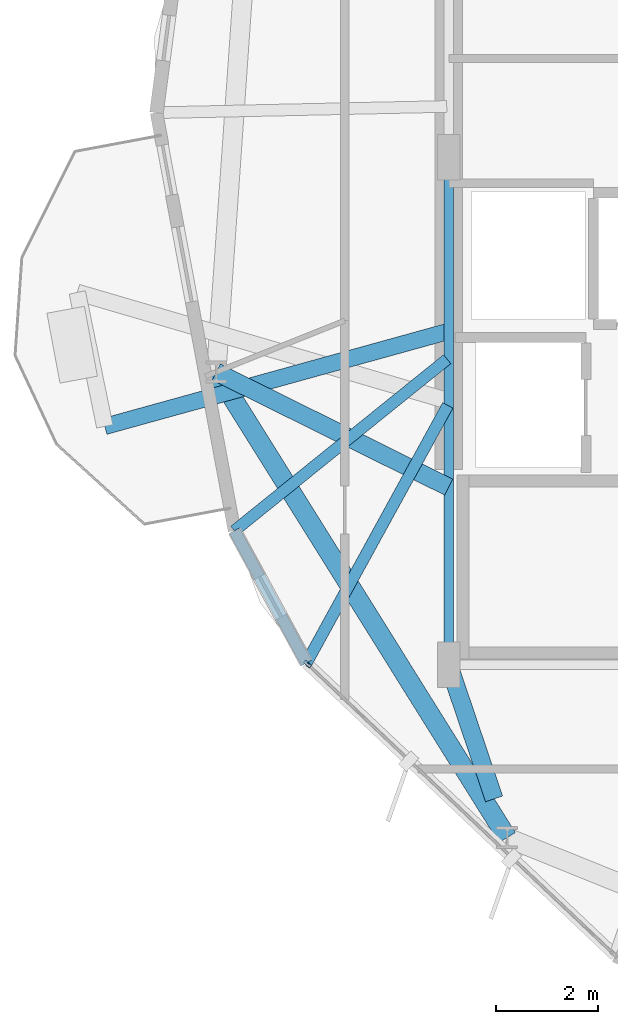
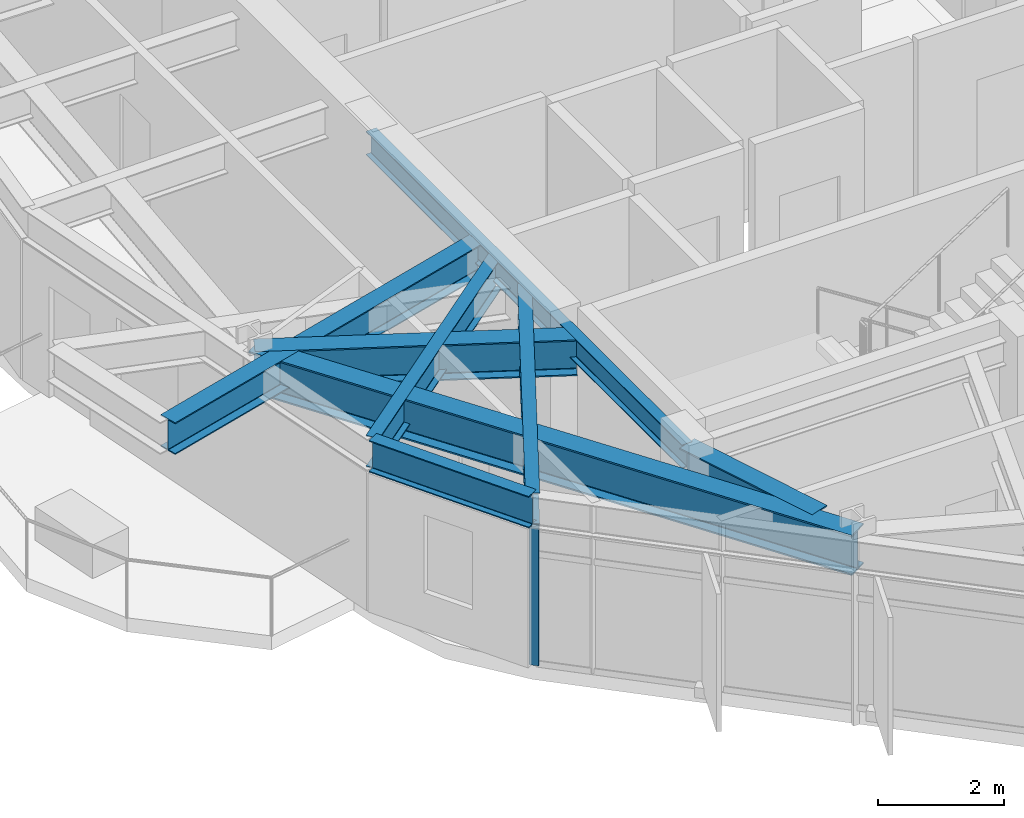
# One storey, part 3 of 23: 8 beams, 1 member, 1 element without a shape of its own.
"""IFC4 building model written with IfcOpenShell, lengths in metres."""

from ifc_helpers import new_model, si_unit, direction, frame, origin, origin_2d, place, context, subcontext, project, spatial, hollow_rectangle, i_section, extrude, material, layer, layer_set, material_profile, profile_set, type_object, element, aggregate, save


model = new_model("IFC4")

# Units and contexts
model_context = context("Model", 3, precision=1e-05, world=origin(), true_north=direction((0.0, 1.0)))
body_context = subcontext(model_context, "Body", "Model", "MODEL_VIEW")
ifc_project = project(units=[si_unit("LENGTHUNIT", "METRE"), si_unit("AREAUNIT", "SQUARE_METRE"), si_unit("VOLUMEUNIT", "CUBIC_METRE"), si_unit("PLANEANGLEUNIT", "RADIAN"), si_unit("MASSUNIT", "GRAM", prefix="KILO")], contexts=[model_context])

# Site, building, storey
site_placement = place(None, origin())
site = spatial("IfcSite", under=ifc_project, at=site_placement, CompositionType="ELEMENT")
building_placement = place(site_placement, origin())
building = spatial("IfcBuilding", under=site, at=building_placement, Name="Soratama Intermodal Tower", CompositionType="ELEMENT")
storey_placement = place(building_placement, frame((0.0, 0.0, 139.0)))
storey = spatial("IfcBuildingStorey", under=building, at=storey_placement, Name="L33", CompositionType="ELEMENT", Elevation=139.0)

# Beams
ifc_material_1 = material(Name="Structural steel ASTM A992 Grade 50", Category="steel")
ifc_material_profile_1 = material_profile(ifc_material_1, i_section(OverallWidth=0.324951171875, OverallDepth=0.615966796875, WebThickness=0.013916015625, FlangeThickness=0.021484375, FilletRadius=0.013916015625, at=origin_2d()), Name="W24X117")
ifc_profile_set_1 = profile_set([ifc_material_profile_1], Name="Structural steel ASTM A992 Grade 50")
beam_type_1 = type_object("IfcBeamType", Name="BM-CANT-W24X117", PredefinedType="BEAM", material=ifc_profile_set_1)
beam_1_placement = place(storey_placement, frame((32.56103515625, 21.55908203125, 2.991943359375), z_axis=(-0.963826012167, -0.266532208692, 0.0), x_axis=(0.266532208692, -0.963826012167, 0.0)))
element("IfcBeam", 1, at=beam_1_placement, inside=storey, type_object=beam_type_1, Name="BM-L33-CANT-3-2", PredefinedType="BEAM", context=body_context, shape_type="SweptSolid", body=[
    extrude(i_section(OverallWidth=0.324951171875, OverallDepth=0.615966796875, WebThickness=0.013916015625, FlangeThickness=0.021484375, FilletRadius=0.013916015625, at=origin_2d()), origin(), (0.0, 0.0, 1.0), 6.989990234375),
])
ifc_material_2 = material(Name="Structural steel ASTM A992 Grade 50", Category="steel")
ifc_material_profile_2 = material_profile(ifc_material_2, i_section(OverallWidth=0.19091796875, OverallDepth=0.4599609375, WebThickness=0.010009765625, FlangeThickness=0.01611328125, FilletRadius=0.010986328125, at=origin_2d()), Name="W18X55")
ifc_profile_set_2 = profile_set([ifc_material_profile_2], Name="Structural steel ASTM A992 Grade 50")
beam_type_2 = type_object("IfcBeamType", Name="BM-FLR-W18X55", PredefinedType="BEAM", material=ifc_profile_set_2)
beam_2_placement = place(storey_placement, frame((32.60009765625, 25.0, 3.070068359375), z_axis=(0.0, -1.0, 0.0), x_axis=(1.0, 0.0, 0.0)))
element("IfcBeam", 2, at=beam_2_placement, inside=storey, type_object=beam_type_2, Name="BM-L33-CRING-09", PredefinedType="BEAM", context=body_context, shape_type="SweptSolid", body=[
    extrude(i_section(OverallWidth=0.19091796875, OverallDepth=0.4599609375, WebThickness=0.010009765625, FlangeThickness=0.01611328125, FilletRadius=0.010986328125, at=origin_2d()), origin(), (0.0, 0.0, 1.0), 10.0),
])
ifc_material_3 = material(Name="Structural steel ASTM A992 Grade 50", Category="steel")
ifc_material_profile_3 = material_profile(ifc_material_3, i_section(OverallWidth=0.35498046875, OverallDepth=0.695068359375, WebThickness=0.015380859375, FlangeThickness=0.02490234375, FilletRadius=0.01611328125, at=origin_2d()), Name="W27X146")
ifc_profile_set_3 = profile_set([ifc_material_profile_3], Name="Structural steel ASTM A992 Grade 50")
beam_type_3 = type_object("IfcBeamType", Name="BM-RING-W27X146", PredefinedType="BEAM", material=ifc_profile_set_3)
beam_3_placement = place(storey_placement, frame((32.60009765625, 18.5, 2.952392578125), z_axis=(-0.89629219718, 0.443463975172, 0.0), x_axis=(-0.443463975172, -0.89629219718, 0.0)))
element("IfcBeam", 3, at=beam_3_placement, inside=storey, type_object=beam_type_3, Name="BM-L33-RAD-06", PredefinedType="BEAM", context=body_context, shape_type="SweptSolid", body=[
    extrude(i_section(OverallWidth=0.35498046875, OverallDepth=0.695068359375, WebThickness=0.015380859375, FlangeThickness=0.02490234375, FilletRadius=0.01611328125, at=origin_2d()), origin(), (0.0, 0.0, 1.0), 5.110107421875),
])
beam_4_placement = place(storey_placement, frame((32.60009765625, 15.0, 2.952392578125), z_axis=(0.32013816754, -0.947370863856, 0.0), x_axis=(0.947370863856, 0.32013816754, 0.0)))
element("IfcBeam", 4, at=beam_4_placement, inside=storey, type_object=beam_type_3, Name="BM-L33-RAD-07", PredefinedType="BEAM", context=body_context, shape_type="SweptSolid", body=[
    extrude(i_section(OverallWidth=0.35498046875, OverallDepth=0.695068359375, WebThickness=0.015380859375, FlangeThickness=0.02490234375, FilletRadius=0.01611328125, at=origin_2d()), origin(), (0.0, 0.0, 1.0), 2.788818359375),
])
ifc_material_4 = material(Name="Structural steel ASTM A992 Grade 50", Category="steel")
ifc_material_profile_4 = material_profile(ifc_material_4, i_section(OverallWidth=0.382080078125, OverallDepth=0.779052734375, WebThickness=0.01806640625, FlangeThickness=0.030029296875, FilletRadius=0.01806640625, at=origin_2d()), Name="W30X191")
ifc_profile_set_4 = profile_set([ifc_material_profile_4], Name="Structural steel ASTM A992 Grade 50")
beam_type_4 = type_object("IfcBeamType", Name="BM-RING-W30X191", PredefinedType="BEAM", material=ifc_profile_set_4)
beam_5_placement = place(storey_placement, frame((28.02001953125, 20.76611328125, 2.910400390625), z_axis=(0.529891394359, -0.84806551055, 0.0), x_axis=(0.84806551055, 0.529891394359, 0.0)))
element("IfcBeam", 5, at=beam_5_placement, inside=storey, type_object=beam_type_4, Name="BM-L33-RING-06", PredefinedType="BEAM", context=body_context, shape_type="SweptSolid", body=[
    extrude(i_section(OverallWidth=0.382080078125, OverallDepth=0.779052734375, WebThickness=0.01806640625, FlangeThickness=0.030029296875, FilletRadius=0.01806640625, at=origin_2d()), origin(), (0.0, 0.0, 1.0), 10.8154296875),
])
ifc_material_5 = material(Name="Structural steel ASTM A992 Grade 50", Category="steel")
ifc_material_profile_5 = material_profile(ifc_material_5, i_section(OverallWidth=0.22900390625, OverallDepth=0.612060546875, WebThickness=0.011962890625, FlangeThickness=0.01953125, FilletRadius=0.012939453125, at=origin_2d()), Name="W24X84")
ifc_profile_set_5 = profile_set([ifc_material_profile_5], Name="Structural steel ASTM A992 Grade 50")
beam_type_5 = type_object("IfcBeamType", Name="BM-SPN-W24X84", PredefinedType="SPANDREL", material=ifc_profile_set_5)
beam_6_placement = place(storey_placement, frame((28.3779296875, 17.64111328125, 2.993896484375), z_axis=(0.477917885824, -0.878404516387, 0.0), x_axis=(0.878404516387, 0.477917885824, 0.0)))
element("IfcBeam", 6, at=beam_6_placement, inside=storey, type_object=beam_type_5, Name="BS-L33-CRN05", PredefinedType="SPANDREL", context=body_context, shape_type="SweptSolid", body=[
    extrude(i_section(OverallWidth=0.22900390625, OverallDepth=0.612060546875, WebThickness=0.011962890625, FlangeThickness=0.01953125, FilletRadius=0.012939453125, at=origin_2d()), origin(), (0.0, 0.0, 1.0), 2.967041015625),
])
ifc_material_6 = material(Name="Structural steel ASTM A992 Grade 50", Category="steel")
ifc_material_profile_6 = material_profile(ifc_material_6, i_section(OverallWidth=0.22900390625, OverallDepth=0.612060546875, WebThickness=0.011962890625, FlangeThickness=0.01953125, FilletRadius=0.012939453125, at=origin_2d()), Name="W24X84")
ifc_profile_set_6 = profile_set([ifc_material_profile_6], Name="Structural steel ASTM A992 Grade 50")
beam_type_6 = type_object("IfcBeamType", Name="BM-TIE-W24X84", PredefinedType="BEAM", material=ifc_profile_set_6)
beam_7_placement = place(storey_placement, frame((32.569091796875, 21.02001953125, 2.993896484375), z_axis=(-0.778509533124, -0.627632780243, 0.0), x_axis=(0.627632780243, -0.778509533124, 0.0)))
element("IfcBeam", 7, at=beam_7_placement, inside=storey, type_object=beam_type_6, Name="BM-L33-TIE1-05", PredefinedType="BEAM", context=body_context, shape_type="SweptSolid", body=[
    extrude(i_section(OverallWidth=0.22900390625, OverallDepth=0.612060546875, WebThickness=0.011962890625, FlangeThickness=0.01953125, FilletRadius=0.012939453125, at=origin_2d()), origin(), (0.0, 0.0, 1.0), 5.383544921875),
])
beam_8_placement = place(storey_placement, frame((32.5810546875, 20.110107421875, 2.993896484375), z_axis=(-0.481096146504, -0.876667837792, 0.0), x_axis=(0.876667837792, -0.481096146504, 0.0)))
element("IfcBeam", 8, at=beam_8_placement, inside=storey, type_object=beam_type_6, Name="BM-L33-TIE0-06", PredefinedType="BEAM", context=body_context, shape_type="SweptSolid", body=[
    extrude(i_section(OverallWidth=0.22900390625, OverallDepth=0.612060546875, WebThickness=0.011962890625, FlangeThickness=0.01953125, FilletRadius=0.012939453125, at=origin_2d()), origin(), (0.0, 0.0, 1.0), 5.789306640625),
])

# Curtain wall, member
ifc_material_7 = material(Name="Double-glazed aluminium curtain wall", Category="aluminium")
ifc_layer = layer(ifc_material_7, 0.159912109375)
ifc_layer_set = layer_set([ifc_layer], Name="Double-glazed aluminium curtain wall")
curtain_wall_type = type_object("IfcCurtainWallType", Name="CW-SYS-4", PredefinedType="NOTDEFINED", material=ifc_layer_set)
curtain_wall_placement = place(storey_placement, origin())
curtain_wall = element("IfcCurtainWall", 9, at=curtain_wall_placement, inside=storey, type_object=curtain_wall_type, Name="L33 Faceted Curtain Wall F06", PredefinedType="NOTDEFINED")
ifc_material_8 = material(Name="Anodised aluminium AA 6063-T6", Category="aluminium")
ifc_material_profile_7 = material_profile(ifc_material_8, hollow_rectangle(XDim=0.070068359375, YDim=0.159912109375, WallThickness=0.0048828125, InnerFilletRadius=0.0048828125, OuterFilletRadius=0.010009765625, at=origin_2d()), Name="CWM160X70X5")
ifc_profile_set_7 = profile_set([ifc_material_profile_7], Name="Anodised aluminium AA 6063-T6")
member_type = type_object("IfcMemberType", Name="MT-CWM-4", PredefinedType="MULLION", material=ifc_profile_set_7)
member_placement = place(storey_placement, frame((29.8173828125, 15.014892578125, 0.0), z_axis=(0.0, 0.0, 1.0), x_axis=(0.687593964864, 0.726095406598, 0.0)))
member = element("IfcMember", 10, at=member_placement, type_object=member_type, Name="CW-4 mullion 1", PredefinedType="MULLION", context=body_context, shape_type="SweptSolid", body=[
    extrude(hollow_rectangle(XDim=0.070068359375, YDim=0.159912109375, WallThickness=0.0048828125, InnerFilletRadius=0.0048828125, OuterFilletRadius=0.010009765625, at=origin_2d()), origin(), (0.0, 0.0, 1.0), 2.678955078125),
])
aggregate(curtain_wall, [member])

save(model, "model.ifc")
